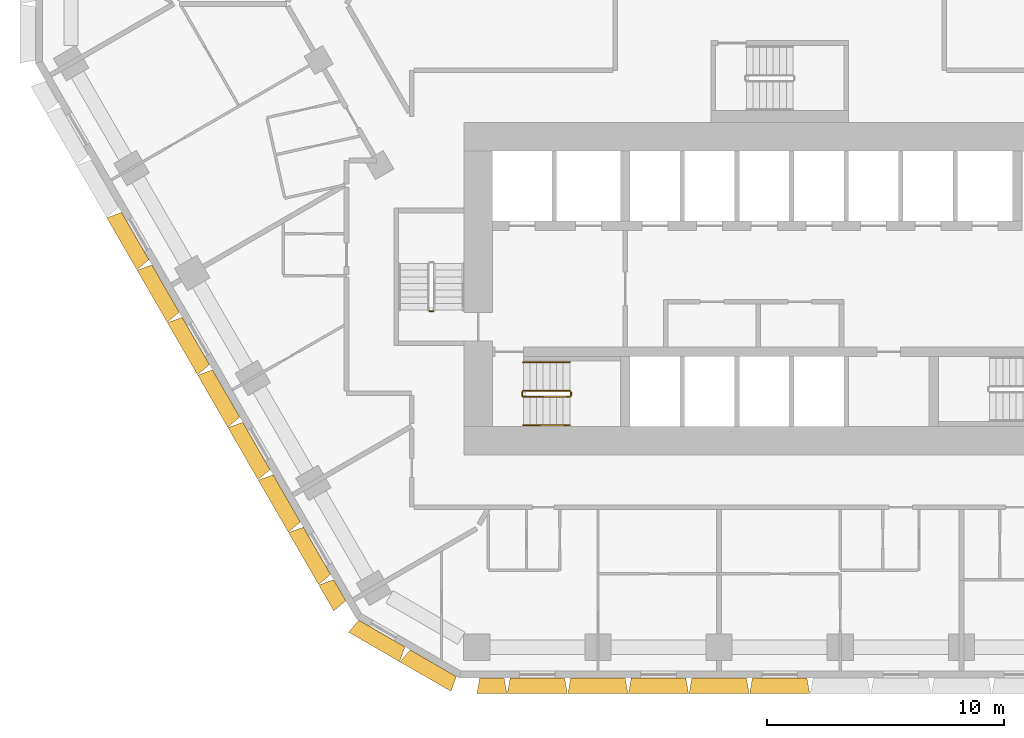
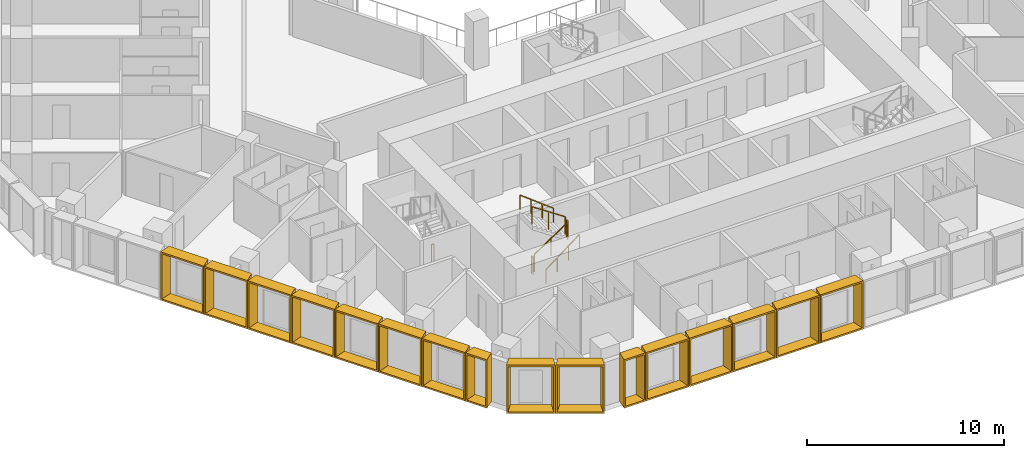
# One storey, part 13 of 16: 16 shading devices, 7 railings.
"""IFC4 building model written with IfcOpenShell, lengths in metres."""

from ifc_helpers import new_model, entity, si_unit, direction, frame, origin, origin_2d, place, context, subcontext, project, spatial, rectangle, extrude, source, transform, mapped, material, type_object, type_shapes, element, save


model = new_model("IFC4")

# Units and contexts
model_context = context("Model", 3, precision=1e-05, world=origin(), true_north=direction((0.0, 1.0)))
body_context = subcontext(model_context, "Body", "Model", "MODEL_VIEW")
ifc_project = project(units=[si_unit("LENGTHUNIT", "METRE"), si_unit("AREAUNIT", "SQUARE_METRE"), si_unit("VOLUMEUNIT", "CUBIC_METRE"), si_unit("PLANEANGLEUNIT", "RADIAN"), si_unit("MASSUNIT", "GRAM", prefix="KILO")], contexts=[model_context])

# Site, building, storey
site_placement = place(None, origin())
site = spatial("IfcSite", under=ifc_project, at=site_placement, CompositionType="ELEMENT")
building_placement = place(site_placement, origin())
building = spatial("IfcBuilding", under=site, at=building_placement, Name="Beryl Residences", CompositionType="ELEMENT")
storey_placement = place(building_placement, frame((0.0, 0.0, 44.39990234375)))
storey = spatial("IfcBuildingStorey", under=building, at=storey_placement, Name="L13", CompositionType="ELEMENT", Elevation=44.39990234375)

# Shading devices
ifc_material_1 = material(Name="Aluminium pale anodised", Category="aluminium")
shading_device_type_1 = type_object("IfcShadingDeviceType", Name="FR128-65A OUTER SKIN frame 650 mm deep, splay 10/10 deg, 1280 x 3000 mm cell", PredefinedType="USERDEFINED", material=ifc_material_1)
cartesian_point_1 = entity("IfcCartesianPoint", [-0.514892578125, 0.0])
cartesian_point_2 = entity("IfcCartesianPoint", [-0.433837890625, 0.10009765625])
cartesian_point_3 = entity("IfcCartesianPoint", [-0.629638671875, 0.0])
cartesian_point_4 = entity("IfcCartesianPoint", [-0.54833984375, 0.10009765625])
shared_shape_1 = source(origin(), body_context, "Body", "SweptSolid", [
    entity("IfcExtrudedAreaSolidTapered", entity("IfcArbitraryProfileDefWithVoids", "AREA", None, entity("IfcPolyline", [cartesian_point_1, entity("IfcCartesianPoint", [0.514892578125, 0.0]), entity("IfcCartesianPoint", [0.514892578125, 3.0]), entity("IfcCartesianPoint", [-0.514892578125, 3.0]), cartesian_point_1]), [entity("IfcPolyline", [cartesian_point_2, entity("IfcCartesianPoint", [0.433837890625, 0.10009765625]), entity("IfcCartesianPoint", [0.433837890625, 2.89990234375]), entity("IfcCartesianPoint", [-0.433837890625, 2.89990234375]), cartesian_point_2])]), entity("IfcAxis2Placement3D", entity("IfcCartesianPoint", [0.0, 0.0, 0.0]), entity("IfcDirection", [0.0, 1.0, 0.0]), entity("IfcDirection", [-1.0, 0.0, 0.0])), entity("IfcDirection", [0.0, 0.0, 1.0]), 0.64990234375, entity("IfcArbitraryProfileDefWithVoids", "AREA", None, entity("IfcPolyline", [cartesian_point_3, entity("IfcCartesianPoint", [0.629638671875, 0.0]), entity("IfcCartesianPoint", [0.629638671875, 3.0]), entity("IfcCartesianPoint", [-0.629638671875, 3.0]), cartesian_point_3]), [entity("IfcPolyline", [cartesian_point_4, entity("IfcCartesianPoint", [0.54833984375, 0.10009765625]), entity("IfcCartesianPoint", [0.54833984375, 2.89990234375]), entity("IfcCartesianPoint", [-0.54833984375, 2.89990234375]), cartesian_point_4])])),
])
type_shapes(shading_device_type_1, [shared_shape_1])
for number, where, z_axis, x_axis, name in (
    (1, (-18.533935546875, -24.698974609375, 0.0), (0.0, 0.0, 1.0), (-0.5, 0.866025403784, 0.0), "FR128-65A frame L13 SW 11"),
    (2, (-12.12109375, -28.39990234375, 0.0), (0.0, 0.0, 1.0), (-1.0, 0.0, 0.0), "FR128-65A frame L13 S 1"),
):
    element("IfcShadingDevice", number, at=place(storey_placement, frame(where, z_axis=z_axis, x_axis=x_axis)), inside=storey, type_object=shading_device_type_1, Name=name, ObjectType="OUTER SKIN", PredefinedType="USERDEFINED", context=body_context, shape_type="MappedRepresentation", body=[
        mapped(shared_shape_1, transform((0.0, 0.0, 0.0))),
    ])
ifc_material_2 = material(Name="Aluminium pale anodised", Category="aluminium")
shading_device_type_2 = type_object("IfcShadingDeviceType", Name="FR250-65A OUTER SKIN frame 650 mm deep, splay 10/10 deg, 2500 x 3000 mm cell", PredefinedType="USERDEFINED", material=ifc_material_2)
cartesian_point_5 = entity("IfcCartesianPoint", [-1.125, 0.0])
cartesian_point_6 = entity("IfcCartesianPoint", [-1.043701171875, 0.10009765625])
cartesian_point_7 = entity("IfcCartesianPoint", [-1.239501953125, 0.0])
cartesian_point_8 = entity("IfcCartesianPoint", [-1.158447265625, 0.10009765625])
shared_shape_2 = source(origin(), body_context, "Body", "SweptSolid", [
    entity("IfcExtrudedAreaSolidTapered", entity("IfcArbitraryProfileDefWithVoids", "AREA", None, entity("IfcPolyline", [cartesian_point_5, entity("IfcCartesianPoint", [1.125, 0.0]), entity("IfcCartesianPoint", [1.125, 3.0]), entity("IfcCartesianPoint", [-1.125, 3.0]), cartesian_point_5]), [entity("IfcPolyline", [cartesian_point_6, entity("IfcCartesianPoint", [1.043701171875, 0.10009765625]), entity("IfcCartesianPoint", [1.043701171875, 2.89990234375]), entity("IfcCartesianPoint", [-1.043701171875, 2.89990234375]), cartesian_point_6])]), entity("IfcAxis2Placement3D", entity("IfcCartesianPoint", [0.0, 0.0, 0.0]), entity("IfcDirection", [0.0, 1.0, 0.0]), entity("IfcDirection", [-1.0, 0.0, 0.0])), entity("IfcDirection", [0.0, 0.0, 1.0]), 0.64990234375, entity("IfcArbitraryProfileDefWithVoids", "AREA", None, entity("IfcPolyline", [cartesian_point_7, entity("IfcCartesianPoint", [1.239501953125, 0.0]), entity("IfcCartesianPoint", [1.239501953125, 3.0]), entity("IfcCartesianPoint", [-1.239501953125, 3.0]), cartesian_point_7]), [entity("IfcPolyline", [cartesian_point_8, entity("IfcCartesianPoint", [1.158447265625, 0.10009765625]), entity("IfcCartesianPoint", [1.158447265625, 2.89990234375]), entity("IfcCartesianPoint", [-1.158447265625, 2.89990234375]), cartesian_point_8])])),
])
type_shapes(shading_device_type_2, [shared_shape_2])
for number, where, z_axis, x_axis, name in (
    (3, (-16.758056640625, -26.52490234375, 0.0), (0.0, 0.0, 1.0), (-0.866025403784, 0.5, 0.0), "FR250-65A frame L13 SW-S 1"),
    (4, (-14.593017578125, -27.77490234375, 0.0), (0.0, 0.0, 1.0), (-0.866025403784, 0.5, 0.0), "FR250-65A frame L13 SW-S 2"),
):
    element("IfcShadingDevice", number, at=place(storey_placement, frame(where, z_axis=z_axis, x_axis=x_axis)), inside=storey, type_object=shading_device_type_2, Name=name, ObjectType="OUTER SKIN", PredefinedType="USERDEFINED", context=body_context, shape_type="MappedRepresentation", body=[
        mapped(shared_shape_2, transform((0.0, 0.0, 0.0))),
    ])
ifc_material_3 = material(Name="Aluminium pale anodised", Category="aluminium")
shading_device_type_3 = type_object("IfcShadingDeviceType", Name="FR255-65A OUTER SKIN frame 650 mm deep, splay 10/10 deg, 2550 x 3000 mm cell", PredefinedType="USERDEFINED", material=ifc_material_3)
cartesian_point_9 = entity("IfcCartesianPoint", [-1.14990234375, 0.0])
cartesian_point_10 = entity("IfcCartesianPoint", [-1.06884765625, 0.10009765625])
cartesian_point_11 = entity("IfcCartesianPoint", [-1.2646484375, 0.0])
cartesian_point_12 = entity("IfcCartesianPoint", [-1.183349609375, 0.10009765625])
shared_shape_3 = source(origin(), body_context, "Body", "SweptSolid", [
    entity("IfcExtrudedAreaSolidTapered", entity("IfcArbitraryProfileDefWithVoids", "AREA", None, entity("IfcPolyline", [cartesian_point_9, entity("IfcCartesianPoint", [1.14990234375, 0.0]), entity("IfcCartesianPoint", [1.14990234375, 3.0]), entity("IfcCartesianPoint", [-1.14990234375, 3.0]), cartesian_point_9]), [entity("IfcPolyline", [cartesian_point_10, entity("IfcCartesianPoint", [1.06884765625, 0.10009765625]), entity("IfcCartesianPoint", [1.06884765625, 2.89990234375]), entity("IfcCartesianPoint", [-1.06884765625, 2.89990234375]), cartesian_point_10])]), entity("IfcAxis2Placement3D", entity("IfcCartesianPoint", [0.0, 0.0, 0.0]), entity("IfcDirection", [0.0, 1.0, 0.0]), entity("IfcDirection", [-1.0, 0.0, 0.0])), entity("IfcDirection", [0.0, 0.0, 1.0]), 0.64990234375, entity("IfcArbitraryProfileDefWithVoids", "AREA", None, entity("IfcPolyline", [cartesian_point_11, entity("IfcCartesianPoint", [1.2646484375, 0.0]), entity("IfcCartesianPoint", [1.2646484375, 3.0]), entity("IfcCartesianPoint", [-1.2646484375, 3.0]), cartesian_point_11]), [entity("IfcPolyline", [cartesian_point_12, entity("IfcCartesianPoint", [1.183349609375, 0.10009765625]), entity("IfcCartesianPoint", [1.183349609375, 2.89990234375]), entity("IfcCartesianPoint", [-1.183349609375, 2.89990234375]), cartesian_point_12])])),
])
type_shapes(shading_device_type_3, [shared_shape_3])
for number, where, z_axis, x_axis, name in (
    (5, (-27.14599609375, -9.781005859375, 0.0), (0.0, 0.0, 1.0), (-0.5, 0.866025403784, 0.0), "FR255-65A frame L13 SW 4"),
    (6, (-25.8701171875, -11.990966796875, 0.0), (0.0, 0.0, 1.0), (-0.5, 0.866025403784, 0.0), "FR255-65A frame L13 SW 5"),
    (7, (-24.594970703125, -14.200927734375, 0.0), (0.0, 0.0, 1.0), (-0.5, 0.866025403784, 0.0), "FR255-65A frame L13 SW 6"),
    (8, (-23.319091796875, -16.410888671875, 0.0), (0.0, 0.0, 1.0), (-0.5, 0.866025403784, 0.0), "FR255-65A frame L13 SW 7"),
    (9, (-22.04296875, -18.62109375, 0.0), (0.0, 0.0, 1.0), (-0.5, 0.866025403784, 0.0), "FR255-65A frame L13 SW 8"),
    (10, (-20.76708984375, -20.8310546875, 0.0), (0.0, 0.0, 1.0), (-0.5, 0.866025403784, 0.0), "FR255-65A frame L13 SW 9"),
    (11, (-19.490966796875, -23.041015625, 0.0), (0.0, 0.0, 1.0), (-0.5, 0.866025403784, 0.0), "FR255-65A frame L13 SW 10"),
    (12, (-10.20703125, -28.39990234375, 0.0), (0.0, 0.0, 1.0), (-1.0, 0.0, 0.0), "FR255-65A frame L13 S 2"),
    (13, (-7.655029296875, -28.39990234375, 0.0), (0.0, 0.0, 1.0), (-1.0, 0.0, 0.0), "FR255-65A frame L13 S 3"),
    (14, (-5.10302734375, -28.39990234375, 0.0), (0.0, 0.0, 1.0), (-1.0, 0.0, 0.0), "FR255-65A frame L13 S 4"),
    (15, (-2.551025390625, -28.39990234375, 0.0), (0.0, 0.0, 1.0), (-1.0, 0.0, 0.0), "FR255-65A frame L13 S 5"),
    (16, (0.0009765625, -28.39990234375, 0.0), (0.0, 0.0, 1.0), (-1.0, 0.0, 0.0), "FR255-65A frame L13 S 6"),
):
    element("IfcShadingDevice", number, at=place(storey_placement, frame(where, z_axis=z_axis, x_axis=x_axis)), inside=storey, type_object=shading_device_type_3, Name=name, ObjectType="OUTER SKIN", PredefinedType="USERDEFINED", context=body_context, shape_type="MappedRepresentation", body=[
        mapped(shared_shape_3, transform((0.0, 0.0, 0.0))),
    ])

# Railings
ifc_material_4 = material(Name="Stainless steel balustrade with glass infill", Category="steel")
railing_type_1 = type_object("IfcRailingType", Name="SG1 stair guard 1100 mm", PredefinedType="GUARDRAIL", material=ifc_material_4)
railing_1_placement = place(storey_placement, frame((-10.800048828125, -16.550048828125, 0.1875)))
element("IfcRailing", 17, at=railing_1_placement, inside=storey, type_object=railing_type_1, Name="L13 ST-1 stair guard 1", PredefinedType="GUARDRAIL", context=body_context, shape_type="SweptSolid", body=[
    extrude(rectangle(XDim=0.048095703125, YDim=0.048095703125, at=origin_2d()), frame((0.0, 0.0, 1.076171875), z_axis=(0.830902050051, 0.0, 0.556418712142), x_axis=(0.0, 1.0, 0.0)), (0.0, 0.0, 1.0), 2.35888671875),
    extrude(rectangle(XDim=0.0419921875, YDim=0.0419921875, at=origin_2d()), origin(), (0.0, 0.0, 1.0), 1.052001953125),
    extrude(rectangle(XDim=0.0419921875, YDim=0.0419921875, at=origin_2d()), frame((0.97998046875, 0.0, 0.65625)), (0.0, 0.0, 1.0), 1.052001953125),
    extrude(rectangle(XDim=0.0419921875, YDim=0.0419921875, at=origin_2d()), frame((1.9599609375, 0.0, 1.3125)), (0.0, 0.0, 1.0), 1.052001953125),
])
railing_2_placement = place(storey_placement, frame((-8.7900390625, -16.5, 1.5)))
element("IfcRailing", 18, at=railing_2_placement, inside=storey, type_object=railing_type_1, Name="L13 ST-1 stair guard 2", PredefinedType="GUARDRAIL", context=body_context, shape_type="SweptSolid", body=[
    extrude(rectangle(XDim=0.048095703125, YDim=0.048095703125, at=origin_2d()), frame((0.0, 0.0, 1.076171875), z_axis=(0.0, 1.0, 0.0), x_axis=(-1.0, 0.0, 0.0)), (0.0, 0.0, 1.0), 0.14990234375),
    extrude(rectangle(XDim=0.0419921875, YDim=0.0419921875, at=origin_2d()), origin(), (0.0, 0.0, 1.0), 1.052001953125),
    extrude(rectangle(XDim=0.0419921875, YDim=0.0419921875, at=origin_2d()), frame((0.0, 0.14990234375, 0.0)), (0.0, 0.0, 1.0), 1.052001953125),
])
railing_3_placement = place(storey_placement, frame((-8.840087890625, -16.300048828125, 1.6875)))
element("IfcRailing", 19, at=railing_3_placement, inside=storey, type_object=railing_type_1, Name="L13 ST-1 stair guard 3", PredefinedType="GUARDRAIL", context=body_context, shape_type="SweptSolid", body=[
    extrude(rectangle(XDim=0.048095703125, YDim=0.048095703125, at=origin_2d()), frame((0.0, 0.0, 1.076171875), z_axis=(-0.830902050051, 0.0, 0.556418712142), x_axis=(0.0, -1.0, 0.0)), (0.0, 0.0, 1.0), 2.35888671875),
    extrude(rectangle(XDim=0.0419921875, YDim=0.0419921875, at=origin_2d()), origin(), (0.0, 0.0, 1.0), 1.052001953125),
    extrude(rectangle(XDim=0.0419921875, YDim=0.0419921875, at=origin_2d()), frame((-0.97998046875, 0.0, 0.65625)), (0.0, 0.0, 1.0), 1.052001953125),
    extrude(rectangle(XDim=0.0419921875, YDim=0.0419921875, at=origin_2d()), frame((-1.9599609375, 0.0, 1.3125)), (0.0, 0.0, 1.0), 1.052001953125),
])
railing_4_placement = place(storey_placement, frame((-10.85009765625, -16.5, 0.0)))
element("IfcRailing", 20, at=railing_4_placement, inside=storey, type_object=railing_type_1, Name="L13 ST-1 stair guard 4", PredefinedType="GUARDRAIL", context=body_context, shape_type="SweptSolid", body=[
    extrude(rectangle(XDim=0.048095703125, YDim=0.048095703125, at=origin_2d()), frame((0.0, 0.0, 1.076171875), z_axis=(0.0, 1.0, 0.0), x_axis=(-1.0, 0.0, 0.0)), (0.0, 0.0, 1.0), 0.14990234375),
    extrude(rectangle(XDim=0.0419921875, YDim=0.0419921875, at=origin_2d()), origin(), (0.0, 0.0, 1.0), 1.052001953125),
    extrude(rectangle(XDim=0.0419921875, YDim=0.0419921875, at=origin_2d()), frame((0.0, 0.14990234375, 0.0)), (0.0, 0.0, 1.0), 1.052001953125),
])
railing_5_placement = place(storey_placement, frame((-14.60009765625, -12.949951171875, 0.0)))
element("IfcRailing", 21, at=railing_5_placement, inside=storey, type_object=railing_type_1, Name="L13 ST-2 stair guard 4", PredefinedType="GUARDRAIL", context=body_context, shape_type="SweptSolid", body=[
    extrude(rectangle(XDim=0.048095703125, YDim=0.048095703125, at=origin_2d()), frame((0.0, 0.0, 1.076171875), z_axis=(-1.0, 0.0, 0.0), x_axis=(0.0, -1.0, 0.0)), (0.0, 0.0, 1.0), 0.14990234375),
    extrude(rectangle(XDim=0.0419921875, YDim=0.0419921875, at=origin_2d()), origin(), (0.0, 0.0, 1.0), 1.052001953125),
    extrude(rectangle(XDim=0.0419921875, YDim=0.0419921875, at=origin_2d()), frame((-0.14990234375, 0.0, 0.0)), (0.0, 0.0, 1.0), 1.052001953125),
])
ifc_material_5 = material(Name="Stainless steel handrail", Category="steel")
railing_type_2 = type_object("IfcRailingType", Name="SRL1 stair handrail 900 mm", PredefinedType="HANDRAIL", material=ifc_material_5)
railing_6_placement = place(storey_placement, frame((-10.800048828125, -17.75, 0.1875)))
element("IfcRailing", 22, at=railing_6_placement, inside=storey, type_object=railing_type_2, Name="L13 ST-1 stair handrail 1", PredefinedType="HANDRAIL", context=body_context, shape_type="SweptSolid", body=[
    extrude(rectangle(XDim=0.048095703125, YDim=0.048095703125, at=origin_2d()), frame((0.0, 0.0, 0.8759765625), z_axis=(0.794121922505, 0.0, 0.607758481798), x_axis=(0.0, 1.0, 0.0)), (0.0, 0.0, 1.0), 2.468017578125),
    extrude(rectangle(XDim=0.0419921875, YDim=0.0419921875, at=origin_2d()), origin(), (0.0, 0.0, 1.0), 0.851806640625),
    extrude(rectangle(XDim=0.0419921875, YDim=0.0419921875, at=origin_2d()), frame((0.6533203125, 0.0, 0.5)), (0.0, 0.0, 1.0), 0.851806640625),
    extrude(rectangle(XDim=0.0419921875, YDim=0.0419921875, at=origin_2d()), frame((1.306640625, 0.0, 1.0)), (0.0, 0.0, 1.0), 0.851806640625),
    extrude(rectangle(XDim=0.0419921875, YDim=0.0419921875, at=origin_2d()), frame((1.9599609375, 0.0, 1.5)), (0.0, 0.0, 1.0), 0.851806640625),
])
railing_7_placement = place(storey_placement, frame((-8.840087890625, -15.10009765625, 1.6875)))
element("IfcRailing", 23, at=railing_7_placement, inside=storey, type_object=railing_type_2, Name="L13 ST-1 stair handrail 2", PredefinedType="HANDRAIL", context=body_context, shape_type="SweptSolid", body=[
    extrude(rectangle(XDim=0.048095703125, YDim=0.048095703125, at=origin_2d()), frame((0.0, 0.0, 0.8759765625), z_axis=(-0.794121922505, 0.0, 0.607758481798), x_axis=(0.0, -1.0, 0.0)), (0.0, 0.0, 1.0), 2.468017578125),
    extrude(rectangle(XDim=0.0419921875, YDim=0.0419921875, at=origin_2d()), origin(), (0.0, 0.0, 1.0), 0.851806640625),
    extrude(rectangle(XDim=0.0419921875, YDim=0.0419921875, at=origin_2d()), frame((-0.6533203125, 0.0, 0.5)), (0.0, 0.0, 1.0), 0.851806640625),
    extrude(rectangle(XDim=0.0419921875, YDim=0.0419921875, at=origin_2d()), frame((-1.306640625, 0.0, 1.0)), (0.0, 0.0, 1.0), 0.851806640625),
    extrude(rectangle(XDim=0.0419921875, YDim=0.0419921875, at=origin_2d()), frame((-1.9599609375, 0.0, 1.5)), (0.0, 0.0, 1.0), 0.851806640625),
])

save(model, "model.ifc")
